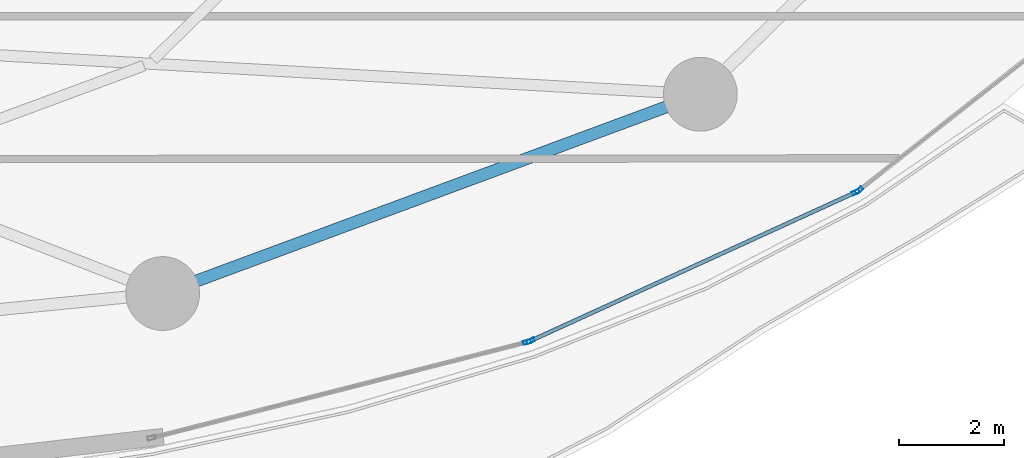
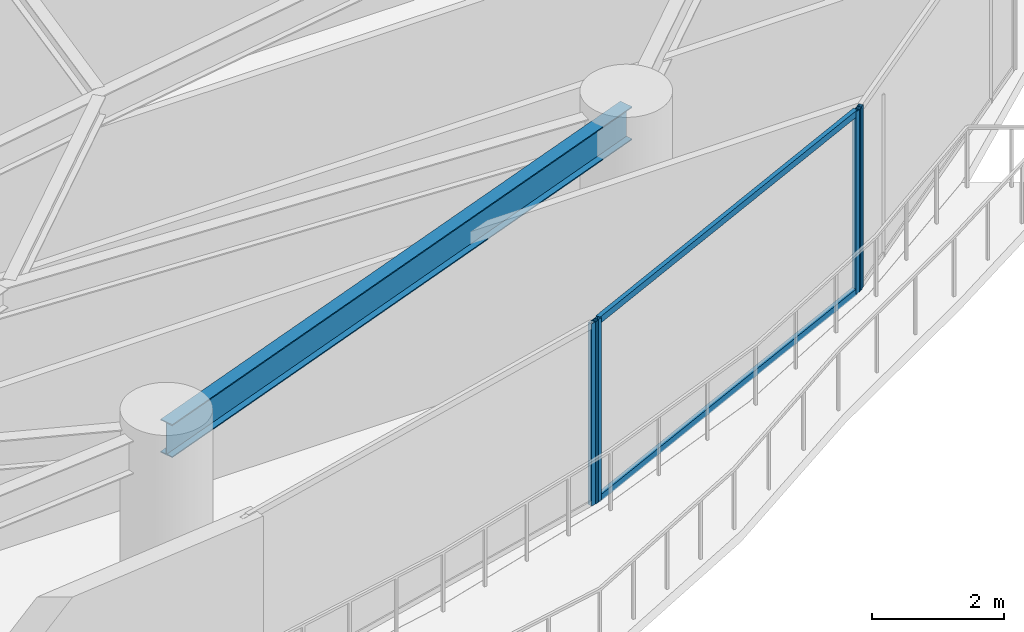
# One storey, part 13 of 32: 6 members, 1 beam, 3 elements without a shape of their own.
"""IFC4 building model written with IfcOpenShell, lengths in metres."""

from ifc_helpers import new_model, si_unit, direction, frame, origin, origin_2d, place, context, subcontext, project, spatial, hollow_rectangle, i_section, extrude, material, layer, layer_set, material_profile, profile_set, type_object, element, aggregate, save


model = new_model("IFC4")

# Units and contexts
model_context = context("Model", 3, precision=1e-05, world=origin(), true_north=direction((0.0, 1.0)))
body_context = subcontext(model_context, "Body", "Model", "MODEL_VIEW")
ifc_project = project(units=[si_unit("LENGTHUNIT", "METRE"), si_unit("AREAUNIT", "SQUARE_METRE"), si_unit("VOLUMEUNIT", "CUBIC_METRE"), si_unit("PLANEANGLEUNIT", "RADIAN"), si_unit("MASSUNIT", "GRAM", prefix="KILO")], contexts=[model_context])

# Site, building, storey
site_placement = place(None, origin())
site = spatial("IfcSite", under=ifc_project, at=site_placement, CompositionType="ELEMENT")
building_placement = place(site_placement, origin())
building = spatial("IfcBuilding", under=site, at=building_placement, Name="Kazevale Care Tower and Concert Hall", CompositionType="ELEMENT")
storey_placement = place(building_placement, frame((0.0, 0.0, 42.0)))
storey = spatial("IfcBuildingStorey", under=building, at=storey_placement, Name="L10", CompositionType="ELEMENT", Elevation=42.0)

# Curtain wall, member
ifc_material_1 = material(Name="Aluminium 6063-T6 and Low-E Glass", Category="aluminium")
ifc_layer = layer(ifc_material_1, 0.179931640625)
ifc_layer_set = layer_set([ifc_layer], Name="Aluminium 6063-T6 and Low-E Glass")
curtain_wall_type = type_object("IfcCurtainWallType", Name="Sheltered Concave Balcony Curtain Wall CW-5", PredefinedType="NOTDEFINED", material=ifc_layer_set)
curtain_wall_1_placement = place(storey_placement, origin())
curtain_wall_1 = element("IfcCurtainWall", 1, at=curtain_wall_1_placement, inside=storey, type_object=curtain_wall_type, Name="cw:L10:f02", PredefinedType="NOTDEFINED")
ifc_material_2 = material(Name="Aluminium 6063-T6", Category="aluminium")
ifc_material_profile_1 = material_profile(ifc_material_2, hollow_rectangle(XDim=0.074951171875, YDim=0.14990234375, WallThickness=0.00390625, at=origin_2d()), Name="ALU75x150x4")
ifc_profile_set_1 = profile_set([ifc_material_profile_1], Name="Aluminium 6063-T6")
member_type_1 = type_object("IfcMemberType", Name="CW-5 Mullion ALU75x150x4", PredefinedType="MULLION", material=ifc_profile_set_1)
member_1_placement = place(storey_placement, frame((70.25146484375, 20.490234375, 0.0), z_axis=(0.0, 0.0, 1.0), x_axis=(0.617807548814, -0.78632934107, 0.0)))
member_1 = element("IfcMember", 2, at=member_1_placement, type_object=member_type_1, Name="CW-5 mullion 2", PredefinedType="MULLION", context=body_context, shape_type="SweptSolid", body=[
    extrude(hollow_rectangle(XDim=0.074951171875, YDim=0.14990234375, WallThickness=0.00390625, at=origin_2d()), origin(), (0.0, 0.0, 1.0), 3.360107421875),
])
aggregate(curtain_wall_1, [member_1])

# Curtain wall, members
curtain_wall_2_placement = place(storey_placement, origin())
curtain_wall_2 = element("IfcCurtainWall", 3, at=curtain_wall_2_placement, inside=storey, type_object=curtain_wall_type, Name="cw:L10:f03", PredefinedType="NOTDEFINED")
member_2_placement = place(storey_placement, frame((70.18798828125, 20.451416015625, 0.0), z_axis=(0.0, 0.0, 1.0), x_axis=(0.415659767773, -0.909520179795, 0.0)))
member_2 = element("IfcMember", 4, at=member_2_placement, type_object=member_type_1, Name="CW-5 mullion 1", PredefinedType="MULLION", context=body_context, shape_type="SweptSolid", body=[
    extrude(hollow_rectangle(XDim=0.074951171875, YDim=0.14990234375, WallThickness=0.00390625, at=origin_2d()), origin(), (0.0, 0.0, 1.0), 3.360107421875),
])
member_3_placement = place(storey_placement, frame((64.022216796875, 17.633544921875, 0.0), z_axis=(0.0, 0.0, 1.0), x_axis=(0.415659767773, -0.909520179795, 0.0)))
member_3 = element("IfcMember", 5, at=member_3_placement, type_object=member_type_1, Name="CW-5 mullion 2", PredefinedType="MULLION", context=body_context, shape_type="SweptSolid", body=[
    extrude(hollow_rectangle(XDim=0.074951171875, YDim=0.14990234375, WallThickness=0.00390625, at=origin_2d()), origin(), (0.0, 0.0, 1.0), 3.360107421875),
])

# Curtain wall, member
curtain_wall_3_placement = place(storey_placement, origin())
curtain_wall_3 = element("IfcCurtainWall", 6, at=curtain_wall_3_placement, inside=storey, type_object=curtain_wall_type, Name="cw:L10:f04", PredefinedType="NOTDEFINED")
member_4_placement = place(storey_placement, frame((63.95166015625, 17.608642578125, 0.0), z_axis=(0.0, 0.0, 1.0), x_axis=(0.247221864936, -0.968958899798, 0.0)))
member_4 = element("IfcMember", 7, at=member_4_placement, type_object=member_type_1, Name="CW-5 mullion 1", PredefinedType="MULLION", context=body_context, shape_type="SweptSolid", body=[
    extrude(hollow_rectangle(XDim=0.074951171875, YDim=0.14990234375, WallThickness=0.00390625, at=origin_2d()), origin(), (0.0, 0.0, 1.0), 3.360107421875),
])
aggregate(curtain_wall_3, [member_4])

# Member
ifc_material_profile_2 = material_profile(ifc_material_2, hollow_rectangle(XDim=0.074951171875, YDim=0.1201171875, WallThickness=0.00390625, at=origin_2d()), Name="ALU75x120x4")
ifc_profile_set_2 = profile_set([ifc_material_profile_2], Name="Aluminium 6063-T6")
member_type_2 = type_object("IfcMemberType", Name="CW-5 Transom ALU75x120x4", PredefinedType="USERDEFINED", material=ifc_profile_set_2)
member_5_placement = place(storey_placement, frame((70.15380859375, 20.435791015625, 0.03759765625), z_axis=(-0.909524040017, -0.415651320978, 0.0), x_axis=(0.415651320978, -0.909524040017, 0.0)))
member_5 = element("IfcMember", 8, at=member_5_placement, type_object=member_type_2, Name="CW-5 transom 1.1", ObjectType="TRANSOM", PredefinedType="USERDEFINED", context=body_context, shape_type="SweptSolid", body=[
    extrude(hollow_rectangle(XDim=0.074951171875, YDim=0.1201171875, WallThickness=0.00390625, at=origin_2d()), origin(), (0.0, 0.0, 1.0), 6.704345703125),
])

member_6_placement = place(storey_placement, frame((70.15380859375, 20.435791015625, 3.322509765625), z_axis=(-0.909524040017, -0.415651320978, 0.0), x_axis=(0.415651320978, -0.909524040017, 0.0)))
member_6 = element("IfcMember", 9, at=member_6_placement, type_object=member_type_2, Name="CW-5 transom 1.2", ObjectType="TRANSOM", PredefinedType="USERDEFINED", context=body_context, shape_type="SweptSolid", body=[
    extrude(hollow_rectangle(XDim=0.074951171875, YDim=0.1201171875, WallThickness=0.00390625, at=origin_2d()), origin(), (0.0, 0.0, 1.0), 6.704345703125),
])

aggregate(curtain_wall_2, [member_2, member_3, member_5, member_6])

# Beam
ifc_material_3 = material(Name="Steel ASTM A572 Gr 50", Category="steel")
ifc_material_profile_3 = material_profile(ifc_material_3, i_section(OverallWidth=0.22900390625, OverallDepth=0.612060546875, WebThickness=0.011962890625, FlangeThickness=0.01953125, at=origin_2d()), Name="W610x125")
ifc_profile_set_3 = profile_set([ifc_material_profile_3], Name="Steel ASTM A572 Gr 50")
beam_type = type_object("IfcBeamType", Name="Ring Spandrel Beam W610x125", PredefinedType="SPANDREL", material=ifc_profile_set_3)
beam_placement = place(storey_placement, frame((57.0400390625, 18.530029296875, 3.053955078125), z_axis=(0.937680788596, 0.347497825458, 0.0), x_axis=(-0.347497825458, 0.937680788596, 0.0)))
element("IfcBeam", 10, at=beam_placement, inside=storey, type_object=beam_type, Name="beam:L10:ring:14", PredefinedType="SPANDREL", context=body_context, shape_type="SweptSolid", body=[
    extrude(i_section(OverallWidth=0.22900390625, OverallDepth=0.612060546875, WebThickness=0.011962890625, FlangeThickness=0.01953125, at=origin_2d()), origin(), (0.0, 0.0, 1.0), 10.8779296875),
])

save(model, "model.ifc")
